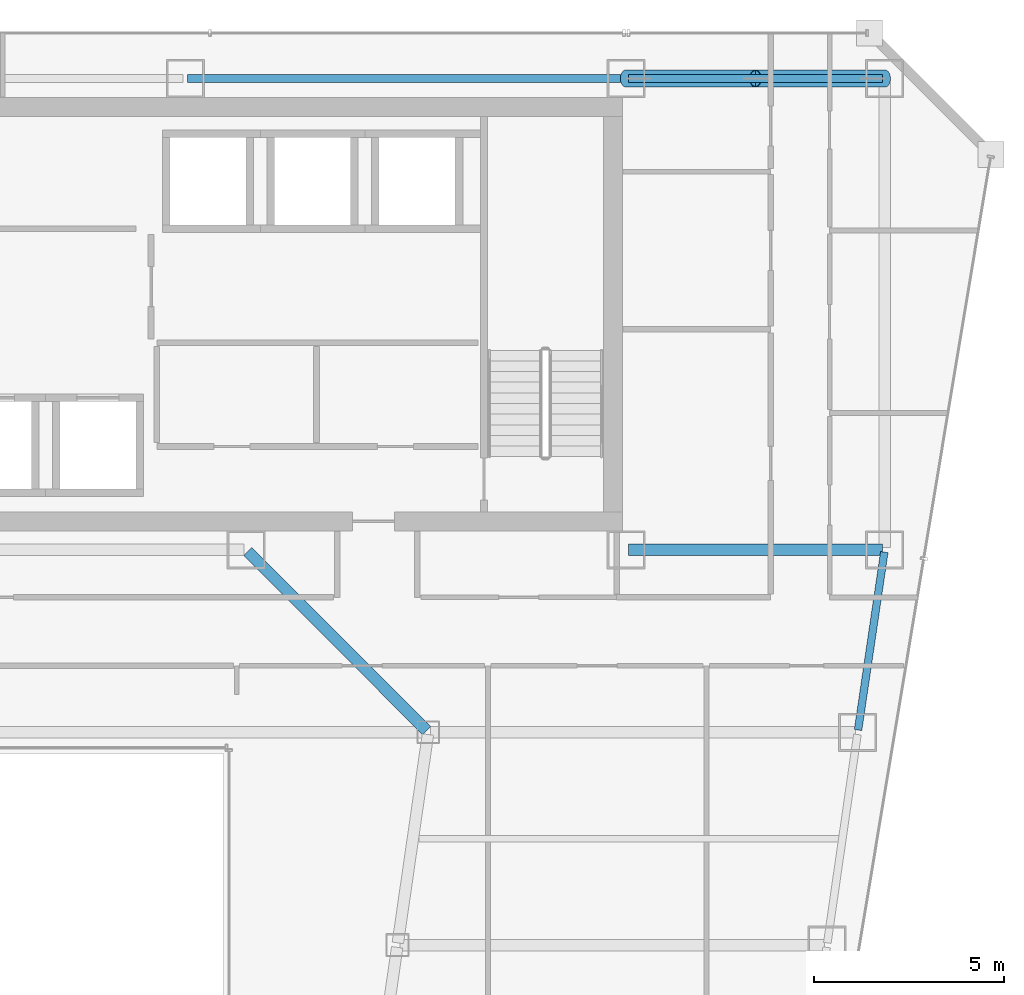
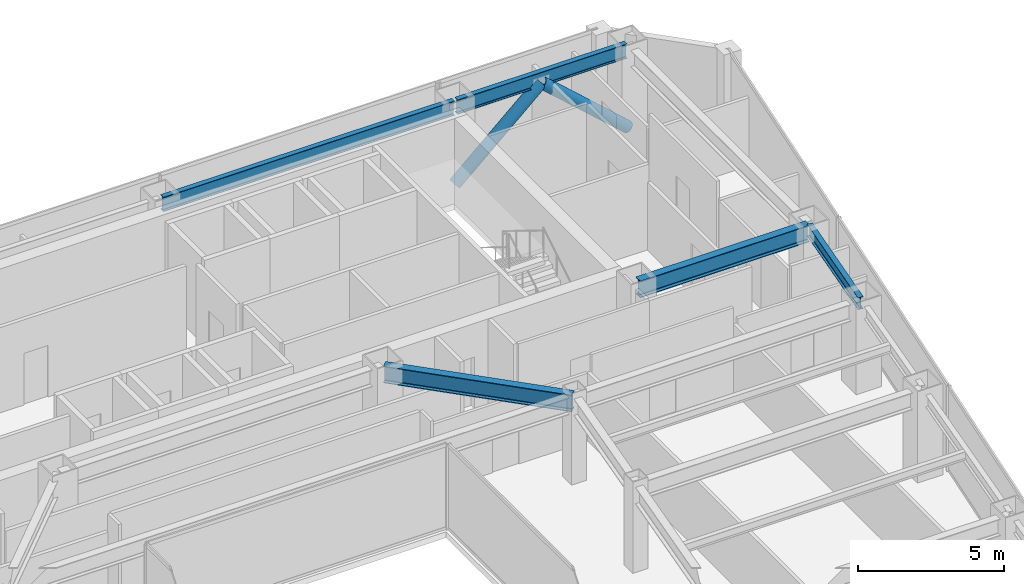
# One storey, part 25 of 36: 5 beams, 2 members.
"""IFC4 building model written with IfcOpenShell, lengths in metres."""

from ifc_helpers import new_model, si_unit, direction, frame, origin, origin_2d, place, context, subcontext, project, spatial, hollow_circle, i_section, extrude, material, material_profile, profile_set, type_object, element, save


model = new_model("IFC4")

# Units and contexts
model_context = context("Model", 3, precision=1e-05, world=origin(), true_north=direction((0.0, 1.0)))
body_context = subcontext(model_context, "Body", "Model", "MODEL_VIEW")
ifc_project = project(units=[si_unit("LENGTHUNIT", "METRE"), si_unit("AREAUNIT", "SQUARE_METRE"), si_unit("VOLUMEUNIT", "CUBIC_METRE"), si_unit("PLANEANGLEUNIT", "RADIAN"), si_unit("MASSUNIT", "GRAM", prefix="KILO")], contexts=[model_context])

# Site, building, storey
site_placement = place(None, origin())
site = spatial("IfcSite", under=ifc_project, at=site_placement, CompositionType="ELEMENT")
building_placement = place(site_placement, origin())
building = spatial("IfcBuilding", under=site, at=building_placement, Name="Saevonmaru Cultural Tower", CompositionType="ELEMENT")
storey_placement = place(building_placement, frame((0.0, 0.0, 156.199951171875)))
storey = spatial("IfcBuildingStorey", under=building, at=storey_placement, Name="L34", CompositionType="ELEMENT", Elevation=156.199951171875)

# Beams
ifc_material_1 = material(Name="Steel SM355", Category="steel")
ifc_material_profile_1 = material_profile(ifc_material_1, i_section(OverallWidth=0.300048828125, OverallDepth=0.699951171875, WebThickness=0.012939453125, FlangeThickness=0.02392578125, FilletRadius=0.02587890625, at=origin_2d()), Name="H-700x300x13x24")
ifc_profile_set_1 = profile_set([ifc_material_profile_1], Name="Steel SM355")
beam_type_1 = type_object("IfcBeamType", Name="BM-G-H700", PredefinedType="BEAM", material=ifc_profile_set_1)
beam_1_placement = place(storey_placement, frame((46.4599609375, 42.39990234375, 3.199951171875), z_axis=(1.0, 0.0, 0.0), x_axis=(0.0, 1.0, 0.0)))
element("IfcBeam", 1, at=beam_1_placement, inside=storey, type_object=beam_type_1, Name="L34 Core South Girder 5", PredefinedType="BEAM", context=body_context, shape_type="SweptSolid", body=[
    extrude(i_section(OverallWidth=0.300048828125, OverallDepth=0.699951171875, WebThickness=0.012939453125, FlangeThickness=0.02392578125, FilletRadius=0.02587890625, at=origin_2d()), origin(), (0.0, 0.0, 1.0), 6.679931640625),
])
beam_2_placement = place(storey_placement, frame((41.149658203125, 37.642578125, 3.199951171875), z_axis=(-0.706538566564, 0.707674539572, 0.0), x_axis=(-0.707674539572, -0.706538566564, 0.0)))
element("IfcBeam", 2, at=beam_2_placement, inside=storey, type_object=beam_type_1, Name="L34 East Atrium Girder 5", PredefinedType="BEAM", context=body_context, shape_type="SweptSolid", body=[
    extrude(i_section(OverallWidth=0.300048828125, OverallDepth=0.699951171875, WebThickness=0.012939453125, FlangeThickness=0.02392578125, FilletRadius=0.02587890625, at=origin_2d()), origin(), (0.0, 0.0, 1.0), 6.662353515625),
])
ifc_material_profile_2 = material_profile(ifc_material_1, i_section(OverallWidth=0.199951171875, OverallDepth=0.5, WebThickness=0.010009765625, FlangeThickness=0.01611328125, FilletRadius=0.02001953125, at=origin_2d()), Name="H-500x200x10x16")
ifc_profile_set_2 = profile_set([ifc_material_profile_2], Name="Steel SM355")
beam_type_2 = type_object("IfcBeamType", Name="BM-SP-H500", PredefinedType="SPANDREL", material=ifc_profile_set_2)
beam_3_placement = place(storey_placement, frame((52.500732421875, 37.659423828125, 3.300048828125), z_axis=(0.145912860028, 0.989297446312, 0.0), x_axis=(-0.989297446312, 0.145912860028, 0.0)))
element("IfcBeam", 3, at=beam_3_placement, inside=storey, type_object=beam_type_2, Name="L34 East Splayed Spandrel 5", PredefinedType="SPANDREL", context=body_context, shape_type="SweptSolid", body=[
    extrude(i_section(OverallWidth=0.199951171875, OverallDepth=0.5, WebThickness=0.010009765625, FlangeThickness=0.01611328125, FilletRadius=0.02001953125, at=origin_2d()), origin(), (0.0, 0.0, 1.0), 4.731689453125),
])
ifc_material_profile_3 = material_profile(ifc_material_1, i_section(OverallWidth=0.199951171875, OverallDepth=0.60009765625, WebThickness=0.010986328125, FlangeThickness=0.01708984375, FilletRadius=0.02197265625, at=origin_2d()), Name="H-600x200x11x17")
ifc_profile_set_3 = profile_set([ifc_material_profile_3], Name="Steel SM355")
beam_type_3 = type_object("IfcBeamType", Name="BM-SP-H600", PredefinedType="SPANDREL", material=ifc_profile_set_3)
beam_4_placement = place(storey_placement, frame((34.860107421875, 54.800048828125, 3.25), z_axis=(1.0, 0.0, 0.0), x_axis=(0.0, 1.0, 0.0)))
element("IfcBeam", 4, at=beam_4_placement, inside=storey, type_object=beam_type_3, Name="L34 North Spine Girder 4", PredefinedType="SPANDREL", context=body_context, shape_type="SweptSolid", body=[
    extrude(i_section(OverallWidth=0.199951171875, OverallDepth=0.60009765625, WebThickness=0.010986328125, FlangeThickness=0.01708984375, FilletRadius=0.02197265625, at=origin_2d()), origin(), (0.0, 0.0, 1.0), 11.47998046875),
])
beam_5_placement = place(storey_placement, frame((46.4599609375, 54.800048828125, 3.25), z_axis=(1.0, 0.0, 0.0), x_axis=(0.0, 1.0, 0.0)))
element("IfcBeam", 5, at=beam_5_placement, inside=storey, type_object=beam_type_3, Name="L34 North Spine Girder 5", PredefinedType="SPANDREL", context=body_context, shape_type="SweptSolid", body=[
    extrude(i_section(OverallWidth=0.199951171875, OverallDepth=0.60009765625, WebThickness=0.010986328125, FlangeThickness=0.01708984375, FilletRadius=0.02197265625, at=origin_2d()), origin(), (0.0, 0.0, 1.0), 6.679931640625),
])

# Members
ifc_material_2 = material(Name="Steel SM420", Category="steel")
ifc_material_profile_4 = material_profile(ifc_material_2, hollow_circle(Radius=0.228515625, WallThickness=0.02001953125, at=origin_2d()), Name="CHS-457.2x20")
ifc_profile_set_4 = profile_set([ifc_material_profile_4], Name="Steel SM420")
member_type = type_object("IfcMemberType", Name="MB-PBR-CHS457", PredefinedType="BRACE", material=ifc_profile_set_4)
for number, where, z_axis, x_axis, name in (
    (6, (46.39990234375, 54.800048828125, 0.02001953125), (0.744390779303, 0.0, 0.66774423823), (0.0, 1.0, 0.0), "L34 Perimeter Braced-Tube Diagonal EN1"),
    (7, (53.199951171875, 54.800048828125, 0.02001953125), (-0.744366945704, 0.0, 0.667770806597), (0.0, -1.0, 0.0), "L34 Perimeter Braced-Tube Diagonal EN2"),
):
    element("IfcMember", number, at=place(storey_placement, frame(where, z_axis=z_axis, x_axis=x_axis)), inside=storey, type_object=member_type, Name=name, PredefinedType="BRACE", context=body_context, shape_type="SweptSolid", body=[
        extrude(hollow_circle(Radius=0.228515625, WallThickness=0.02001953125, at=origin_2d()), origin(), (0.0, 0.0, 1.0), 4.567626953125),
    ])

save(model, "model.ifc")
